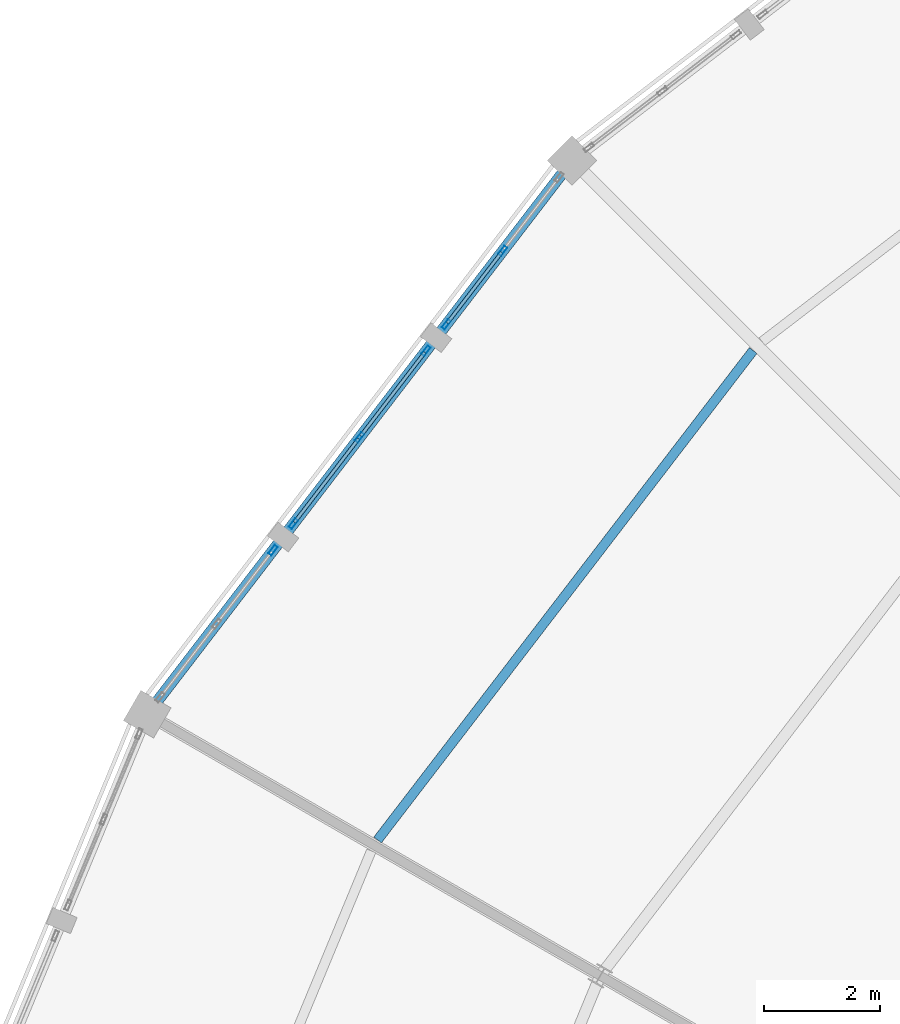
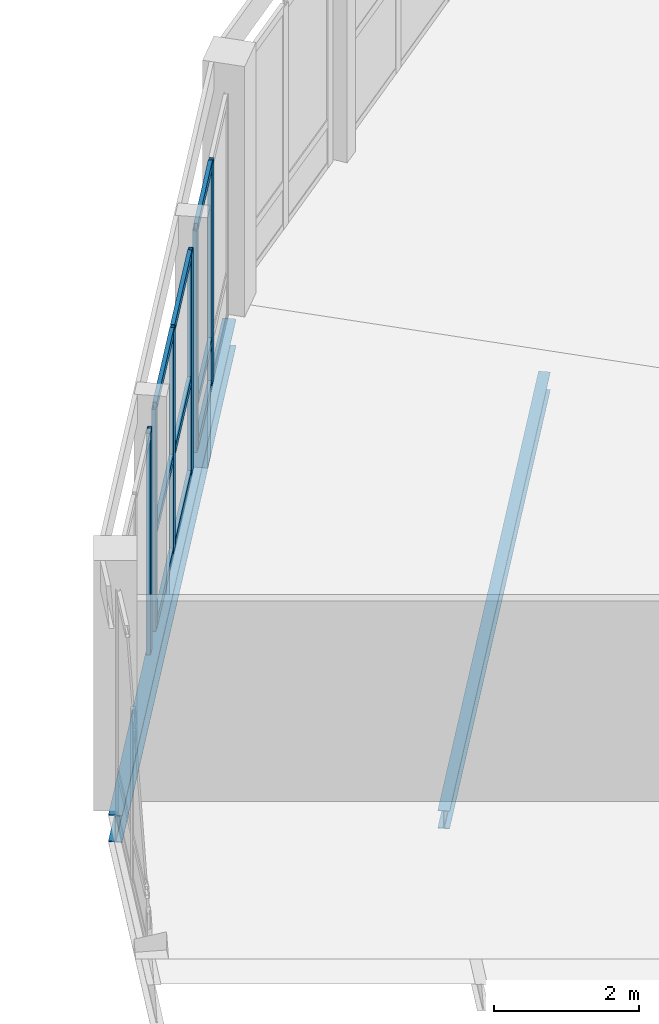
# One storey, part 70 of 170: 15 members, 2 beams, 3 elements without a shape of their own.
"""IFC4 building model written with IfcOpenShell, lengths in metres."""

from ifc_helpers import new_model, si_unit, direction, frame, origin, origin_2d, place, context, subcontext, project, spatial, hollow_rectangle, i_section, extrude, material, material_profile, profile_set, type_object, element, aggregate, save


model = new_model("IFC4")

# Units and contexts
model_context = context("Model", 3, precision=1e-05, world=origin(), true_north=direction((0.0, 1.0)))
body_context = subcontext(model_context, "Body", "Model", "MODEL_VIEW")
ifc_project = project(units=[si_unit("LENGTHUNIT", "METRE"), si_unit("AREAUNIT", "SQUARE_METRE"), si_unit("VOLUMEUNIT", "CUBIC_METRE"), si_unit("PLANEANGLEUNIT", "RADIAN"), si_unit("MASSUNIT", "GRAM", prefix="KILO")], contexts=[model_context])

# Site, building, storey
site_placement = place(None, origin())
site = spatial("IfcSite", under=ifc_project, at=site_placement, CompositionType="ELEMENT")
building_placement = place(site_placement, origin())
building = spatial("IfcBuilding", under=site, at=building_placement, Name="Vondelvale Polytechnic", CompositionType="ELEMENT")
storey_placement = place(building_placement, frame((0.0, 0.0, 5.39990234375)))
storey = spatial("IfcBuildingStorey", under=building, at=storey_placement, Name="L01", CompositionType="ELEMENT", Elevation=5.39990234375)

# Beam
ifc_material_1 = material(Name="Steel 300PLUS (fy = 300 MPa)", Category="steel")
ifc_material_profile_1 = material_profile(ifc_material_1, i_section(OverallWidth=0.18994140625, OverallDepth=0.45703125, WebThickness=0.009033203125, FlangeThickness=0.014404296875, FilletRadius=0.011474609375, at=origin_2d()), Name="460UB74.6")
ifc_profile_set_1 = profile_set([ifc_material_profile_1], Name="Steel 300PLUS (fy = 300 MPa)")
beam_type_1 = type_object("IfcBeamType", Name="BM-UB460", PredefinedType="BEAM", material=ifc_profile_set_1)
beam_1_placement = place(storey_placement, frame((69.47314453125, 104.52685546875, -0.50830078125), z_axis=(-0.608766116008, -0.793349743808, 0.0), x_axis=(0.793349743808, -0.608766116008, 0.0)))
element("IfcBeam", 1, at=beam_1_placement, inside=storey, type_object=beam_type_1, Name="L01 RB B-13", PredefinedType="BEAM", context=body_context, shape_type="SweptSolid", body=[
    extrude(i_section(OverallWidth=0.18994140625, OverallDepth=0.45703125, WebThickness=0.009033203125, FlangeThickness=0.014404296875, FilletRadius=0.011474609375, at=origin_2d()), origin(), (0.0, 0.0, 1.0), 12.00830078125),
])

# Curtain wall, members
ifc_material_2 = material(Name="Glulam GL18 structural Tasmanian oak (fb = 42 MPa)", Category="wood")
curtain_wall_type = type_object("IfcCurtainWallType", Name="CW-RING-OUTER", PredefinedType="NOTDEFINED", material=ifc_material_2)
curtain_wall_1_placement = place(storey_placement, origin())
curtain_wall_1 = element("IfcCurtainWall", 2, at=curtain_wall_1_placement, inside=storey, type_object=curtain_wall_type, Name="L01 architectural curtain wall CW-04-214", PredefinedType="NOTDEFINED")
ifc_material_3 = material(Name="Anodised extruded aluminium 6063-T6", Category="aluminium")
ifc_material_profile_2 = material_profile(ifc_material_3, hollow_rectangle(XDim=0.06494140625, YDim=0.179931640625, WallThickness=0.00390625, at=origin_2d()), Name="CW-MUL-180x65")
ifc_profile_set_2 = profile_set([ifc_material_profile_2], Name="Anodised extruded aluminium 6063-T6")
member_type_1 = type_object("IfcMemberType", Name="CW-MUL-65x180", PredefinedType="MULLION", material=ifc_profile_set_2)
member_1_placement = place(storey_placement, frame((68.27978515625, 102.9716796875, 0.0), z_axis=(0.0, 0.0, 1.0), x_axis=(0.793333825656, -0.608786860133, 0.0)))
member_1 = element("IfcMember", 3, at=member_1_placement, type_object=member_type_1, Name="CW-04-214 mullion 2", PredefinedType="MULLION", context=body_context, shape_type="SweptSolid", body=[
    extrude(hollow_rectangle(XDim=0.06494140625, YDim=0.179931640625, WallThickness=0.00390625, at=origin_2d()), origin(), (0.0, 0.0, 1.0), 3.72021484375),
])
member_2_placement = place(storey_placement, frame((67.308837890625, 101.706298828125, 0.0), z_axis=(0.0, 0.0, 1.0), x_axis=(0.793333825656, -0.608786860133, 0.0)))
member_2 = element("IfcMember", 4, at=member_2_placement, type_object=member_type_1, Name="CW-04-214 mullion 3", PredefinedType="MULLION", context=body_context, shape_type="SweptSolid", body=[
    extrude(hollow_rectangle(XDim=0.06494140625, YDim=0.179931640625, WallThickness=0.00390625, at=origin_2d()), origin(), (0.0, 0.0, 1.0), 3.72021484375),
])

curtain_wall_2_placement = place(storey_placement, origin())
curtain_wall_2 = element("IfcCurtainWall", 5, at=curtain_wall_2_placement, inside=storey, type_object=curtain_wall_type, Name="L01 architectural curtain wall CW-04-215", PredefinedType="NOTDEFINED")
member_3_placement = place(storey_placement, frame((66.958740234375, 101.250244140625, 0.0), z_axis=(0.0, 0.0, 1.0), x_axis=(0.793345851043, -0.608771189063, 0.0)))
member_3 = element("IfcMember", 6, at=member_3_placement, type_object=member_type_1, Name="CW-04-215 mullion 1", PredefinedType="MULLION", context=body_context, shape_type="SweptSolid", body=[
    extrude(hollow_rectangle(XDim=0.06494140625, YDim=0.179931640625, WallThickness=0.00390625, at=origin_2d()), origin(), (0.0, 0.0, 1.0), 3.72021484375),
])
member_4_placement = place(storey_placement, frame((65.81787109375, 99.763427734375, 0.0), z_axis=(0.0, 0.0, 1.0), x_axis=(0.793345851043, -0.608771189063, 0.0)))
member_4 = element("IfcMember", 7, at=member_4_placement, type_object=member_type_1, Name="CW-04-215 mullion 2", PredefinedType="MULLION", context=body_context, shape_type="SweptSolid", body=[
    extrude(hollow_rectangle(XDim=0.06494140625, YDim=0.179931640625, WallThickness=0.00390625, at=origin_2d()), origin(), (0.0, 0.0, 1.0), 3.72021484375),
])
member_5_placement = place(storey_placement, frame((64.677001953125, 98.276611328125, 0.0), z_axis=(0.0, 0.0, 1.0), x_axis=(0.793345851043, -0.608771189063, 0.0)))
member_5 = element("IfcMember", 8, at=member_5_placement, type_object=member_type_1, Name="CW-04-215 mullion 3", PredefinedType="MULLION", context=body_context, shape_type="SweptSolid", body=[
    extrude(hollow_rectangle(XDim=0.06494140625, YDim=0.179931640625, WallThickness=0.00390625, at=origin_2d()), origin(), (0.0, 0.0, 1.0), 3.72021484375),
])

# Curtain wall, member
curtain_wall_3_placement = place(storey_placement, origin())
curtain_wall_3 = element("IfcCurtainWall", 9, at=curtain_wall_3_placement, inside=storey, type_object=curtain_wall_type, Name="L01 architectural curtain wall CW-04-216", PredefinedType="NOTDEFINED")
member_6_placement = place(storey_placement, frame((64.3271484375, 97.820556640625, 0.0), z_axis=(0.0, 0.0, 1.0), x_axis=(0.793333825656, -0.608786860133, 0.0)))
member_6 = element("IfcMember", 10, at=member_6_placement, type_object=member_type_1, Name="CW-04-216 mullion 1", PredefinedType="MULLION", context=body_context, shape_type="SweptSolid", body=[
    extrude(hollow_rectangle(XDim=0.06494140625, YDim=0.179931640625, WallThickness=0.00390625, at=origin_2d()), origin(), (0.0, 0.0, 1.0), 3.72021484375),
])
aggregate(curtain_wall_3, [member_6])

# Member
ifc_material_profile_3 = material_profile(ifc_material_3, hollow_rectangle(XDim=0.06005859375, YDim=0.139892578125, WallThickness=0.00341796875, at=origin_2d()), Name="CW-TRN-140x60")
ifc_profile_set_3 = profile_set([ifc_material_profile_3], Name="Anodised extruded aluminium 6063-T6")
member_type_2 = type_object("IfcMemberType", Name="CW-TRN-60x140", PredefinedType="USERDEFINED", material=ifc_profile_set_3)
member_7_placement = place(storey_placement, frame((68.260009765625, 102.946044921875, 0.030029296875), z_axis=(-0.608746385664, -0.793364883229, 0.0), x_axis=(0.793364883229, -0.608746385664, 0.0)))
member_7 = element("IfcMember", 11, at=member_7_placement, type_object=member_type_2, Name="CW-04-214 transom 2.1", ObjectType="TRANSOM", PredefinedType="USERDEFINED", context=body_context, shape_type="SweptSolid", body=[
    extrude(hollow_rectangle(XDim=0.06005859375, YDim=0.139892578125, WallThickness=0.00341796875, at=origin_2d()), origin(), (0.0, 0.0, 1.0), 1.530029296875),
])

member_8_placement = place(storey_placement, frame((68.260009765625, 102.946044921875, 0.75), z_axis=(-0.608746385664, -0.793364883229, 0.0), x_axis=(0.793364883229, -0.608746385664, 0.0)))
member_8 = element("IfcMember", 12, at=member_8_placement, type_object=member_type_2, Name="CW-04-214 transom 2.2", ObjectType="TRANSOM", PredefinedType="USERDEFINED", context=body_context, shape_type="SweptSolid", body=[
    extrude(hollow_rectangle(XDim=0.06005859375, YDim=0.139892578125, WallThickness=0.00341796875, at=origin_2d()), origin(), (0.0, 0.0, 1.0), 1.530029296875),
])

member_9_placement = place(storey_placement, frame((68.260009765625, 102.946044921875, 3.690185546875), z_axis=(-0.608746385664, -0.793364883229, 0.0), x_axis=(0.793364883229, -0.608746385664, 0.0)))
member_9 = element("IfcMember", 13, at=member_9_placement, type_object=member_type_2, Name="CW-04-214 transom 2.3", ObjectType="TRANSOM", PredefinedType="USERDEFINED", context=body_context, shape_type="SweptSolid", body=[
    extrude(hollow_rectangle(XDim=0.06005859375, YDim=0.139892578125, WallThickness=0.00341796875, at=origin_2d()), origin(), (0.0, 0.0, 1.0), 1.530029296875),
])

aggregate(curtain_wall_1, [member_1, member_2, member_7, member_8, member_9])

member_10_placement = place(storey_placement, frame((66.93896484375, 101.224365234375, 0.030029296875), z_axis=(-0.608816809849, -0.793310842007, 0.0), x_axis=(0.793310842007, -0.608816809849, 0.0)))
member_10 = element("IfcMember", 14, at=member_10_placement, type_object=member_type_2, Name="CW-04-215 transom 1.1", ObjectType="TRANSOM", PredefinedType="USERDEFINED", context=body_context, shape_type="SweptSolid", body=[
    extrude(hollow_rectangle(XDim=0.06005859375, YDim=0.139892578125, WallThickness=0.00341796875, at=origin_2d()), origin(), (0.0, 0.0, 1.0), 1.808837890625),
])

member_11_placement = place(storey_placement, frame((66.93896484375, 101.224365234375, 1.60009765625), z_axis=(-0.608816809849, -0.793310842007, 0.0), x_axis=(0.793310842007, -0.608816809849, 0.0)))
member_11 = element("IfcMember", 15, at=member_11_placement, type_object=member_type_2, Name="CW-04-215 transom 1.2", ObjectType="TRANSOM", PredefinedType="USERDEFINED", context=body_context, shape_type="SweptSolid", body=[
    extrude(hollow_rectangle(XDim=0.06005859375, YDim=0.139892578125, WallThickness=0.00341796875, at=origin_2d()), origin(), (0.0, 0.0, 1.0), 1.808837890625),
])

member_12_placement = place(storey_placement, frame((66.93896484375, 101.224365234375, 3.690185546875), z_axis=(-0.608816809849, -0.793310842007, 0.0), x_axis=(0.793310842007, -0.608816809849, 0.0)))
member_12 = element("IfcMember", 16, at=member_12_placement, type_object=member_type_2, Name="CW-04-215 transom 1.3", ObjectType="TRANSOM", PredefinedType="USERDEFINED", context=body_context, shape_type="SweptSolid", body=[
    extrude(hollow_rectangle(XDim=0.06005859375, YDim=0.139892578125, WallThickness=0.00341796875, at=origin_2d()), origin(), (0.0, 0.0, 1.0), 1.808837890625),
])

member_13_placement = place(storey_placement, frame((65.798095703125, 99.737548828125, 0.030029296875), z_axis=(-0.608816809849, -0.793310842007, 0.0), x_axis=(0.793310842007, -0.608816809849, 0.0)))
member_13 = element("IfcMember", 17, at=member_13_placement, type_object=member_type_2, Name="CW-04-215 transom 2.1", ObjectType="TRANSOM", PredefinedType="USERDEFINED", context=body_context, shape_type="SweptSolid", body=[
    extrude(hollow_rectangle(XDim=0.06005859375, YDim=0.139892578125, WallThickness=0.00341796875, at=origin_2d()), origin(), (0.0, 0.0, 1.0), 1.808837890625),
])

member_14_placement = place(storey_placement, frame((65.798095703125, 99.737548828125, 1.60009765625), z_axis=(-0.608816809849, -0.793310842007, 0.0), x_axis=(0.793310842007, -0.608816809849, 0.0)))
member_14 = element("IfcMember", 18, at=member_14_placement, type_object=member_type_2, Name="CW-04-215 transom 2.2", ObjectType="TRANSOM", PredefinedType="USERDEFINED", context=body_context, shape_type="SweptSolid", body=[
    extrude(hollow_rectangle(XDim=0.06005859375, YDim=0.139892578125, WallThickness=0.00341796875, at=origin_2d()), origin(), (0.0, 0.0, 1.0), 1.808837890625),
])

member_15_placement = place(storey_placement, frame((65.798095703125, 99.737548828125, 3.690185546875), z_axis=(-0.608816809849, -0.793310842007, 0.0), x_axis=(0.793310842007, -0.608816809849, 0.0)))
member_15 = element("IfcMember", 19, at=member_15_placement, type_object=member_type_2, Name="CW-04-215 transom 2.3", ObjectType="TRANSOM", PredefinedType="USERDEFINED", context=body_context, shape_type="SweptSolid", body=[
    extrude(hollow_rectangle(XDim=0.06005859375, YDim=0.139892578125, WallThickness=0.00341796875, at=origin_2d()), origin(), (0.0, 0.0, 1.0), 1.808837890625),
])

aggregate(curtain_wall_2, [member_3, member_4, member_5, member_10, member_11, member_12, member_13, member_14, member_15])

# Beam
ifc_material_profile_4 = material_profile(ifc_material_1, i_section(OverallWidth=0.1650390625, OverallDepth=0.303955078125, WebThickness=0.006103515625, FlangeThickness=0.01025390625, FilletRadius=0.011474609375, at=origin_2d()), Name="310UB40.4")
ifc_profile_set_4 = profile_set([ifc_material_profile_4], Name="Steel 300PLUS (fy = 300 MPa)")
beam_type_2 = type_object("IfcBeamType", Name="JST-UB310", PredefinedType="JOIST", material=ifc_profile_set_4)
beam_2_placement = place(storey_placement, frame((72.588134765625, 101.257568359375, -0.431884765625), z_axis=(-0.608770977523, -0.793346013368, 0.0), x_axis=(0.793346013368, -0.608770977523, 0.0)))
element("IfcBeam", 20, at=beam_2_placement, inside=storey, type_object=beam_type_2, Name="L01 RJ J-05", PredefinedType="JOIST", context=body_context, shape_type="SweptSolid", body=[
    extrude(i_section(OverallWidth=0.1650390625, OverallDepth=0.303955078125, WebThickness=0.006103515625, FlangeThickness=0.01025390625, FilletRadius=0.011474609375, at=origin_2d()), origin(), (0.0, 0.0, 1.0), 10.613525390625),
])

save(model, "model.ifc")
